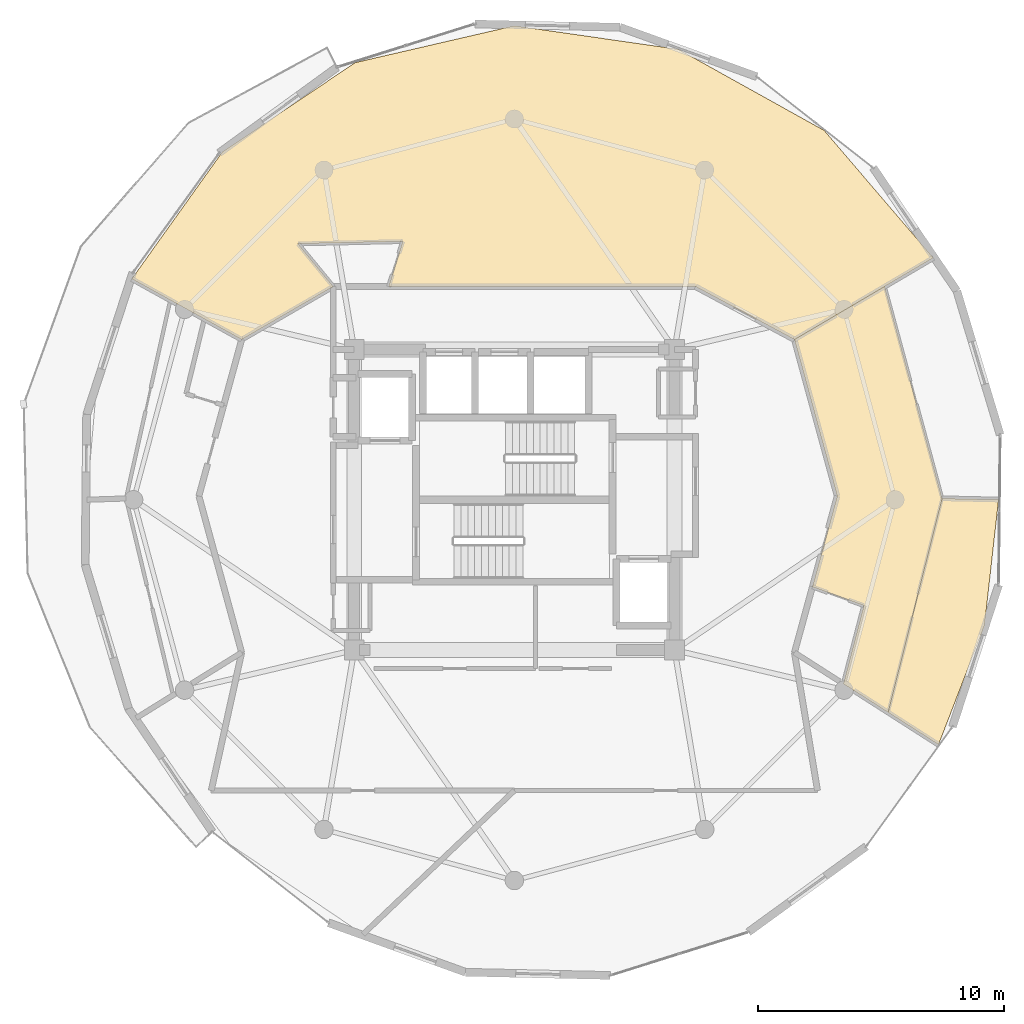
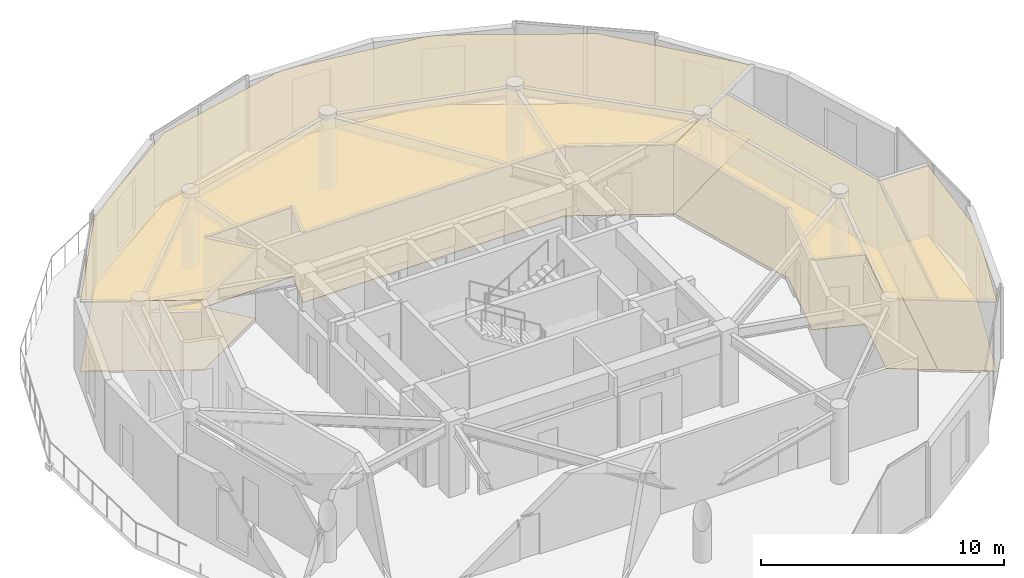
# One storey, part 19 of 19: 6 coverings.
"""IFC4 building model written with IfcOpenShell, lengths in metres."""

from ifc_helpers import new_model, si_unit, direction, frame, origin, place, context, subcontext, project, spatial, polyline, outline, extrude, material, layer, layer_set, type_object, element, save


model = new_model("IFC4")

# Units and contexts
model_context = context("Model", 3, precision=1e-05, world=origin(), true_north=direction((0.0, 1.0)))
body_context = subcontext(model_context, "Body", "Model", "MODEL_VIEW")
ifc_project = project(units=[si_unit("LENGTHUNIT", "METRE"), si_unit("AREAUNIT", "SQUARE_METRE"), si_unit("VOLUMEUNIT", "CUBIC_METRE"), si_unit("PLANEANGLEUNIT", "RADIAN"), si_unit("MASSUNIT", "GRAM", prefix="KILO")], contexts=[model_context])

# Site, building, storey
site_placement = place(None, origin())
site = spatial("IfcSite", under=ifc_project, at=site_placement, CompositionType="ELEMENT")
building_placement = place(site_placement, origin())
building = spatial("IfcBuilding", under=site, at=building_placement, Name="Solvirekh Grand Hotel", CompositionType="ELEMENT")
storey_placement = place(building_placement, frame((0.0, 0.0, 254.39990234375)))
storey = spatial("IfcBuildingStorey", under=building, at=storey_placement, Name="L66", CompositionType="ELEMENT", Elevation=254.39990234375)

# Coverings
ifc_material_1 = material(Name="Acoustic Mineral Ceiling Tile")
ifc_layer_1 = layer(ifc_material_1, 0.02490234375)
ifc_layer_set_1 = layer_set([ifc_layer_1], Name="Acoustic Mineral Ceiling Tile")
covering_type_1 = type_object("IfcCoveringType", Name="Cov_Ceiling_Acoustic", PredefinedType="CEILING", material=ifc_layer_set_1)
covering_1_placement = place(storey_placement, frame((0.0, 0.0, 3.52001953125)))
element("IfcCovering", 1, at=covering_1_placement, inside=storey, type_object=covering_type_1, Name="L66 Panorama Suite 6801 acoustic ceiling", PredefinedType="CEILING", context=body_context, shape_type="SweptSolid", body=[
    extrude(outline(polyline([(-7.35009765625, 8.64990234375), (-8.779052734375, 10.387939453125), (-4.528076171875, 10.48388671875), (-5.10009765625, 8.64990234375), (7.35009765625, 8.64990234375), (11.364990234375, 6.5), (16.998046875, 9.81396484375), (12.572021484375, 14.98291015625), (6.652099609375, 18.277099609375), (0.0, 19.23095703125), (-6.4560546875, 17.737060546875), (-11.845947265625, 14.116943359375), (-15.52197265625, 8.9609375), (-11.06494140625, 6.5), (-7.35009765625, 8.64990234375)])), origin(), (0.0, 0.0, 1.0), 0.01806640625),
])
covering_2_placement = place(storey_placement, frame((0.0, 0.0, 3.52001953125)))
element("IfcCovering", 2, at=covering_2_placement, inside=storey, type_object=covering_type_1, Name="L66 Executive Suite 6803 Living Room acoustic ceiling", PredefinedType="CEILING", context=body_context, shape_type="SweptSolid", body=[
    extrude(outline(polyline([(14.181884765625, -4.291015625), (13.35302734375, -7.470947265625), (15.1650390625, -8.62890625), (17.35595703125, 0.052001953125), (15.02587890625, 8.654052734375), (11.364990234375, 6.5), (13.10009765625, 0.14990234375), (12.093994140625, -3.532958984375), (14.181884765625, -4.291015625)])), origin(), (0.0, 0.0, 1.0), 0.01806640625),
])
covering_3_placement = place(storey_placement, frame((0.0, 0.0, 3.52001953125)))
element("IfcCovering", 3, at=covering_3_placement, inside=storey, type_object=covering_type_1, Name="L66 Executive Suite 6803 Master Bedroom acoustic ceiling", PredefinedType="CEILING", context=body_context, shape_type="SweptSolid", body=[
    extrude(outline(polyline([(17.2109375, -9.93701171875), (19.072998046875, -5.111083984375), (19.64697265625, 0.0), (17.35595703125, 0.052001953125), (15.1650390625, -8.62890625), (17.2109375, -9.93701171875)])), origin(), (0.0, 0.0, 1.0), 0.01806640625),
])
ifc_material_2 = material(Name="Porcelain Stoneware Flooring", Category="masonry")
ifc_layer_2 = layer(ifc_material_2, 0.030029296875)
ifc_layer_set_2 = layer_set([ifc_layer_2], Name="Porcelain Stoneware Flooring")
covering_type_2 = type_object("IfcCoveringType", Name="Cov_Floor_Stone", PredefinedType="FLOORING", material=ifc_layer_set_2)
covering_4_placement = place(storey_placement, origin())
element("IfcCovering", 4, at=covering_4_placement, inside=storey, type_object=covering_type_2, Name="L66 Panorama Suite 6801 polished granite flooring", PredefinedType="FLOORING", context=body_context, shape_type="SweptSolid", body=[
    extrude(outline(polyline([(-7.35009765625, 8.64990234375), (-8.779052734375, 10.387939453125), (-4.528076171875, 10.48388671875), (-5.10009765625, 8.64990234375), (7.35009765625, 8.64990234375), (11.364990234375, 6.5), (16.998046875, 9.81396484375), (12.572021484375, 14.98291015625), (6.652099609375, 18.277099609375), (0.0, 19.23095703125), (-6.4560546875, 17.737060546875), (-11.845947265625, 14.116943359375), (-15.52197265625, 8.9609375), (-11.06494140625, 6.5), (-7.35009765625, 8.64990234375)])), origin(), (0.0, 0.0, 1.0), 0.02001953125),
])
covering_5_placement = place(storey_placement, origin())
element("IfcCovering", 5, at=covering_5_placement, inside=storey, type_object=covering_type_2, Name="L66 Executive Suite 6803 Living Room polished granite flooring", PredefinedType="FLOORING", context=body_context, shape_type="SweptSolid", body=[
    extrude(outline(polyline([(14.181884765625, -4.291015625), (13.35302734375, -7.470947265625), (15.1650390625, -8.62890625), (17.35595703125, 0.052001953125), (15.02587890625, 8.654052734375), (11.364990234375, 6.5), (13.10009765625, 0.14990234375), (12.093994140625, -3.532958984375), (14.181884765625, -4.291015625)])), origin(), (0.0, 0.0, 1.0), 0.02001953125),
])
covering_6_placement = place(storey_placement, origin())
element("IfcCovering", 6, at=covering_6_placement, inside=storey, type_object=covering_type_2, Name="L66 Executive Suite 6803 Master Bedroom polished granite flooring", PredefinedType="FLOORING", context=body_context, shape_type="SweptSolid", body=[
    extrude(outline(polyline([(17.2109375, -9.93701171875), (19.072998046875, -5.111083984375), (19.64697265625, 0.0), (17.35595703125, 0.052001953125), (15.1650390625, -8.62890625), (17.2109375, -9.93701171875)])), origin(), (0.0, 0.0, 1.0), 0.02001953125),
])

save(model, "model.ifc")
